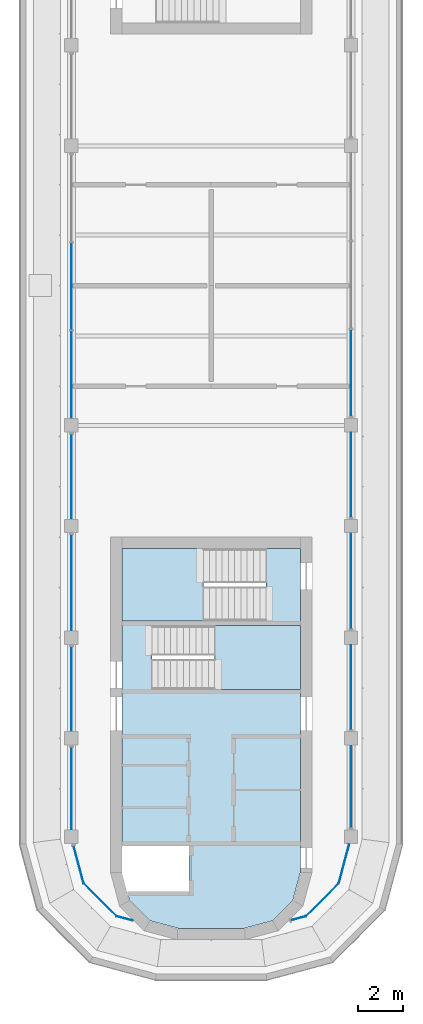
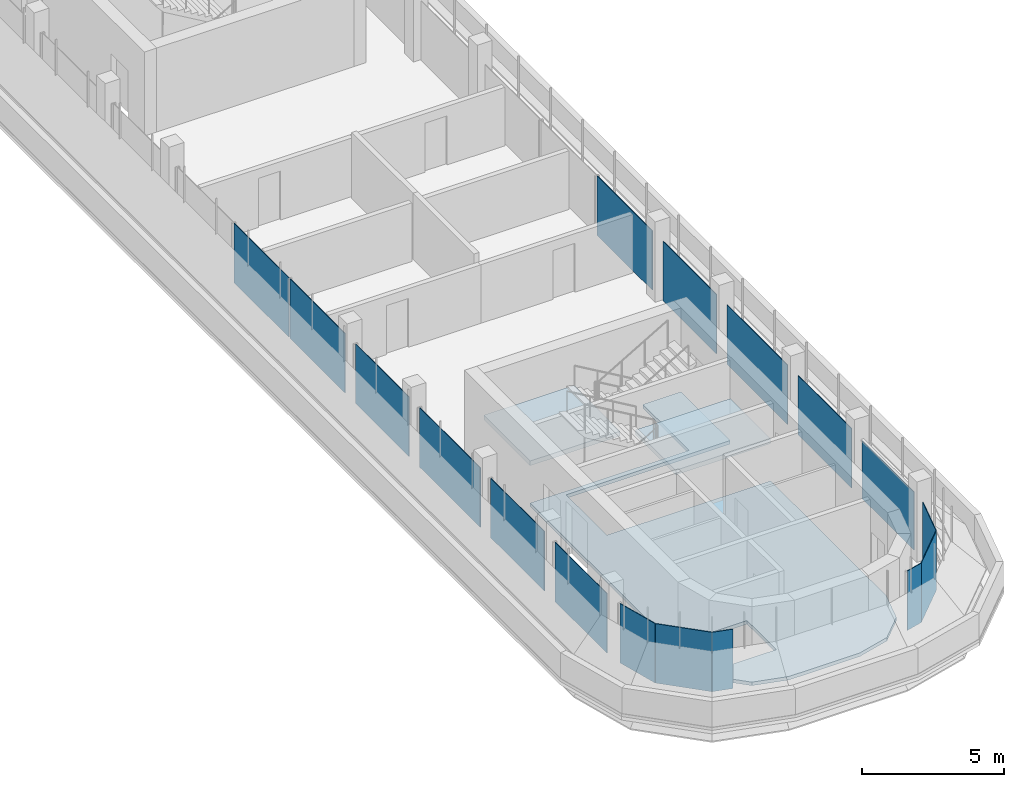
# One storey, part 5 of 12: 17 plates, 3 slabs, 10 elements without a shape of their own.
"""IFC4 building model written with IfcOpenShell, lengths in metres."""

from ifc_helpers import new_model, si_unit, direction, frame, origin, place, context, subcontext, project, spatial, polyline, outline, extrude, source, transform, mapped, material, layer, layer_set, type_object, element, aggregate, save


model = new_model("IFC4")

# Units and contexts
model_context = context("Model", 3, precision=1e-05, world=origin(), true_north=direction((0.0, 1.0)))
body_context = subcontext(model_context, "Body", "Model", "MODEL_VIEW")
ifc_project = project(units=[si_unit("LENGTHUNIT", "METRE"), si_unit("AREAUNIT", "SQUARE_METRE"), si_unit("VOLUMEUNIT", "CUBIC_METRE"), si_unit("PLANEANGLEUNIT", "RADIAN"), si_unit("MASSUNIT", "GRAM", prefix="KILO")], contexts=[model_context])

# Site, building, storey
site_placement = place(None, origin())
site = spatial("IfcSite", under=ifc_project, at=site_placement, CompositionType="ELEMENT")
building_placement = place(site_placement, origin())
building = spatial("IfcBuilding", under=site, at=building_placement, Name="Zarbagh Exchange Tower", CompositionType="ELEMENT")
storey_placement = place(building_placement, frame((0.0, 0.0, 309.60009765625)))
storey = spatial("IfcBuildingStorey", under=building, at=storey_placement, Name="L76", CompositionType="ELEMENT", Elevation=309.60009765625)

# Slab
ifc_material_1 = material(Name="Concrete C40/50", Category="concrete")
ifc_layer_1 = layer(ifc_material_1, 0.14990234375)
ifc_layer_set_1 = layer_set([ifc_layer_1], Name="Core floor slab 150 C40/50")
slab_type_1 = type_object("IfcSlabType", Name="Core floor slab 150 C40/50", PredefinedType="FLOOR", material=ifc_layer_set_1)
slab_1_placement = place(storey_placement, frame((0.0, 0.0, -0.150146484375)))
element("IfcSlab", 1, at=slab_1_placement, inside=storey, type_object=slab_type_1, Name="S17 core S", PredefinedType="FLOOR", context=body_context, shape_type="SweptSolid", body=[
    extrude(outline(polyline([(-2.7412109375, -28.39990234375), (-3.64990234375, -27.4912109375), (-3.857666015625, -26.715087890625), (-3.754638671875, -27.10009765625), (-1.0, -27.10009765625), (-1.0, -25.050048828125), (-4.0, -25.050048828125), (-4.0, -15.0), (2.449951171875, -15.0), (2.449951171875, -11.75), (4.0, -11.75), (4.0, -15.199951171875), (-2.64990234375, -15.199951171875), (-2.64990234375, -18.050048828125), (4.0, -18.050048828125), (4.0, -26.18408203125), (3.64990234375, -27.4912109375), (2.7412109375, -28.39990234375), (1.43408203125, -28.75), (-1.43408203125, -28.75), (-2.7412109375, -28.39990234375)])), origin(), (0.0, 0.0, 1.0), 0.150146484375),
])

# Stair, slab
stair_type = type_object("IfcStairType", Name="Exit stair two-flight half-turn", PredefinedType="HALF_TURN_STAIR", material=ifc_material_1)
stair_1_placement = place(storey_placement, origin())
stair_1 = element("IfcStair", 2, at=stair_1_placement, inside=storey, type_object=stair_type, Name="exit stair ST3", PredefinedType="HALF_TURN_STAIR")
ifc_layer_2 = layer(ifc_material_1, 0.199951171875)
ifc_layer_set_2 = layer_set([ifc_layer_2], Name="Stair landing 200 mm")
slab_type_2 = type_object("IfcSlabType", Name="Stair landing 200 mm", PredefinedType="LANDING", material=ifc_layer_set_2)
slab_2_placement = place(storey_placement, frame((0.0, 0.0, 1.599853515625)))
slab_2 = element("IfcSlab", 3, at=slab_2_placement, type_object=slab_type_2, Name="ST3 landing 1", PredefinedType="LANDING", context=body_context, shape_type="SweptSolid", body=[
    extrude(outline(polyline([(0.14990234375, -18.050048828125), (4.0, -18.050048828125), (4.0, -15.199951171875), (0.14990234375, -15.199951171875), (0.14990234375, -18.050048828125)])), origin(), (0.0, 0.0, 1.0), 0.199951171875),
])
aggregate(stair_1, [slab_2])

stair_2_placement = place(storey_placement, origin())
stair_2 = element("IfcStair", 4, at=stair_2_placement, inside=storey, type_object=stair_type, Name="exit stair ST4", PredefinedType="HALF_TURN_STAIR")
slab_3_placement = place(storey_placement, frame((0.0, 0.0, 1.599853515625)))
slab_3 = element("IfcSlab", 5, at=slab_3_placement, type_object=slab_type_2, Name="ST4 landing 1", PredefinedType="LANDING", context=body_context, shape_type="SweptSolid", body=[
    extrude(outline(polyline([(-0.35009765625, -11.75), (-4.0, -11.75), (-4.0, -15.0), (-0.35009765625, -15.0), (-0.35009765625, -11.75)])), origin(), (0.0, 0.0, 1.0), 0.199951171875),
])
aggregate(stair_2, [slab_3])

# Curtain wall, plate
ifc_material_2 = material(Name="Anodised aluminium frame and glazing", Category="aluminium")
curtain_wall_type = type_object("IfcCurtainWallType", Name="CWF Crown tier glazing", PredefinedType="NOTDEFINED", material=ifc_material_2)
curtain_wall_1_placement = place(storey_placement, origin())
curtain_wall_1 = element("IfcCurtainWall", 6, at=curtain_wall_1_placement, inside=storey, type_object=curtain_wall_type, Name="CWF01 curtain wall", PredefinedType="NOTDEFINED")
ifc_material_3 = material(Name="Low-e double glazed unit, 6+12+6 mm")
ifc_layer_3 = layer(ifc_material_3, 0.028076171875)
ifc_layer_set_3 = layer_set([ifc_layer_3], Name="PAF Glazing panel, Low-e double glazed unit, 6+12+6 mm")
plate_type = type_object("IfcPlateType", Name="PAF Glazing panel, Low-e double glazed unit, 6+12+6 mm", PredefinedType="CURTAIN_PANEL", material=ifc_layer_set_3)
shared_shape_1 = source(origin(), body_context, "Body", "SweptSolid", [
    extrude(outline(polyline([(0.0, -0.013916015625), (0.697021484375, -0.013916015625), (0.697021484375, 0.013916015625), (0.0, 0.013916015625), (0.0, -0.013916015625)])), origin(), (0.0, 0.0, 1.0), 2.550048828125),
])
placement = place(storey_placement, origin())
plate_1 = element("IfcPlate", 7, at=placement, type_object=plate_type, Name="CWF01 glazing panel 1.1", PredefinedType="CURTAIN_PANEL", context=body_context, shape_type="MappedRepresentation", body=[
    mapped(shared_shape_1, transform((3.56787109375, -28.379150390625, 0.0), x_axis=(0.965924289636, 0.258824779902, 0.0), y_axis=(-0.258824779902, 0.965924289636, 0.0), z_axis=(0.0, 0.0, 1.0))),
])
aggregate(curtain_wall_1, [plate_1])

curtain_wall_2_placement = place(storey_placement, origin())
curtain_wall_2 = element("IfcCurtainWall", 8, at=curtain_wall_2_placement, inside=storey, type_object=curtain_wall_type, Name="CWF02 curtain wall", PredefinedType="NOTDEFINED")
shared_shape_2 = source(origin(), body_context, "Body", "SweptSolid", [
    extrude(outline(polyline([(0.0, -0.013916015625), (2.061279296875, -0.013916015625), (2.061279296875, 0.013916015625), (0.0, 0.013916015625), (0.0, -0.013916015625)])), origin(), (0.0, 0.0, 1.0), 2.550048828125),
])
plate_2 = element("IfcPlate", 9, at=placement, type_object=plate_type, Name="CWF02 glazing panel 1.1", PredefinedType="CURTAIN_PANEL", context=body_context, shape_type="MappedRepresentation", body=[
    mapped(shared_shape_2, transform((4.2412109375, -28.19873046875, 0.0), x_axis=(0.707106781187, 0.707106781187, 0.0), y_axis=(-0.707106781187, 0.707106781187, 0.0), z_axis=(0.0, 0.0, 1.0))),
])
aggregate(curtain_wall_2, [plate_2])

curtain_wall_3_placement = place(storey_placement, origin())
curtain_wall_3 = element("IfcCurtainWall", 10, at=curtain_wall_3_placement, inside=storey, type_object=curtain_wall_type, Name="CWF45 curtain wall", PredefinedType="NOTDEFINED")
plate_3 = element("IfcPlate", 11, at=placement, type_object=plate_type, Name="CWF45 glazing panel 1.1", PredefinedType="CURTAIN_PANEL", context=body_context, shape_type="MappedRepresentation", body=[
    mapped(shared_shape_2, transform((-5.69873046875, -26.7412109375, 0.0), x_axis=(0.707106781187, -0.707106781187, 0.0), y_axis=(0.707106781187, 0.707106781187, 0.0), z_axis=(0.0, 0.0, 1.0))),
])
aggregate(curtain_wall_3, [plate_3])

curtain_wall_4_placement = place(storey_placement, origin())
curtain_wall_4 = element("IfcCurtainWall", 12, at=curtain_wall_4_placement, inside=storey, type_object=curtain_wall_type, Name="CWF03 curtain wall", PredefinedType="NOTDEFINED")
shared_shape_3 = source(origin(), body_context, "Body", "SweptSolid", [
    extrude(outline(polyline([(0.0, -0.013916015625), (1.81298828125, -0.013916015625), (1.81298828125, 0.013916015625), (0.0, 0.013916015625), (0.0, -0.013916015625)])), origin(), (0.0, 0.0, 1.0), 2.550048828125),
])
plate_4 = element("IfcPlate", 13, at=placement, type_object=plate_type, Name="CWF03 glazing panel 1.1", PredefinedType="CURTAIN_PANEL", context=body_context, shape_type="MappedRepresentation", body=[
    mapped(shared_shape_3, transform((5.69873046875, -26.7412109375, 0.0), x_axis=(0.258824779902, 0.965924289636, 0.0), y_axis=(-0.965924289636, 0.258824779902, 0.0), z_axis=(0.0, 0.0, 1.0))),
])
aggregate(curtain_wall_4, [plate_4])

# Curtain wall, plates
curtain_wall_5_placement = place(storey_placement, origin())
curtain_wall_5 = element("IfcCurtainWall", 14, at=curtain_wall_5_placement, inside=storey, type_object=curtain_wall_type, Name="CWF49 curtain wall", PredefinedType="NOTDEFINED")
shared_shape_4 = source(origin(), body_context, "Body", "SweptSolid", [
    extrude(outline(polyline([(0.0, -0.013916015625), (3.659912109375, -0.013916015625), (3.659912109375, 0.013916015625), (0.0, 0.013916015625), (0.0, -0.013916015625)])), origin(), (0.0, 0.0, 1.0), 2.489990234375),
])
plate_5 = element("IfcPlate", 15, at=placement, type_object=plate_type, Name="CWF49 glazing panel 1.1", PredefinedType="CURTAIN_PANEL", context=body_context, shape_type="MappedRepresentation", body=[
    mapped(shared_shape_4, transform((6.25, -24.25, 0.0), x_axis=(0.0, 1.0, 0.0), y_axis=(-1.0, 0.0, 0.0), z_axis=(0.0, 0.0, 1.0))),
])
shared_shape_5 = source(origin(), body_context, "Body", "SweptSolid", [
    extrude(outline(polyline([(0.0, -0.013916015625), (3.760009765625, -0.013916015625), (3.760009765625, 0.013916015625), (0.0, 0.013916015625), (0.0, -0.013916015625)])), origin(), (0.0, 0.0, 1.0), 2.550048828125),
])
plate_6 = element("IfcPlate", 16, at=placement, type_object=plate_type, Name="CWF49 glazing panel 2.1", PredefinedType="CURTAIN_PANEL", context=body_context, shape_type="MappedRepresentation", body=[
    mapped(shared_shape_5, transform((6.25, -19.849853515625, 0.0), x_axis=(0.0, 1.0, 0.0), y_axis=(-1.0, 0.0, 0.0), z_axis=(0.0, 0.0, 1.0))),
])
plate_7 = element("IfcPlate", 17, at=placement, type_object=plate_type, Name="CWF49 glazing panel 4.1", PredefinedType="CURTAIN_PANEL", context=body_context, shape_type="MappedRepresentation", body=[
    mapped(shared_shape_5, transform((6.25, -10.349853515625, 0.0), x_axis=(0.0, 1.0, 0.0), y_axis=(-1.0, 0.0, 0.0), z_axis=(0.0, 0.0, 1.0))),
])

curtain_wall_6_placement = place(storey_placement, origin())
curtain_wall_6 = element("IfcCurtainWall", 18, at=curtain_wall_6_placement, inside=storey, type_object=curtain_wall_type, Name="CWF50 curtain wall", PredefinedType="NOTDEFINED")
plate_8 = element("IfcPlate", 19, at=placement, type_object=plate_type, Name="CWF50 glazing panel 6.1", PredefinedType="CURTAIN_PANEL", context=body_context, shape_type="MappedRepresentation", body=[
    mapped(shared_shape_5, transform((-6.25, -6.650146484375, 0.0), x_axis=(0.0, -1.0, 0.0), y_axis=(1.0, 0.0, 0.0), z_axis=(0.0, 0.0, 1.0))),
])
plate_9 = element("IfcPlate", 20, at=placement, type_object=plate_type, Name="CWF50 glazing panel 8.1", PredefinedType="CURTAIN_PANEL", context=body_context, shape_type="MappedRepresentation", body=[
    mapped(shared_shape_5, transform((-6.25, -16.150146484375, 0.0), x_axis=(0.0, -1.0, 0.0), y_axis=(1.0, 0.0, 0.0), z_axis=(0.0, 0.0, 1.0))),
])

# Plate
shared_shape_6 = source(origin(), body_context, "Body", "SweptSolid", [
    extrude(outline(polyline([(0.0, -0.013916015625), (4.260009765625, -0.013916015625), (4.260009765625, 0.013916015625), (0.0, 0.013916015625), (0.0, -0.013916015625)])), origin(), (0.0, 0.0, 1.0), 2.550048828125),
])
plate_10 = element("IfcPlate", 21, at=placement, type_object=plate_type, Name="CWF49 glazing panel 3.1", PredefinedType="CURTAIN_PANEL", context=body_context, shape_type="MappedRepresentation", body=[
    mapped(shared_shape_6, transform((6.25, -15.349853515625, 0.0), x_axis=(0.0, 1.0, 0.0), y_axis=(-1.0, 0.0, 0.0), z_axis=(0.0, 0.0, 1.0))),
])

plate_11 = element("IfcPlate", 22, at=placement, type_object=plate_type, Name="CWF50 glazing panel 7.1", PredefinedType="CURTAIN_PANEL", context=body_context, shape_type="MappedRepresentation", body=[
    mapped(shared_shape_6, transform((-6.25, -11.150146484375, 0.0), x_axis=(0.0, -1.0, 0.0), y_axis=(1.0, 0.0, 0.0), z_axis=(0.0, 0.0, 1.0))),
])

shared_shape_7 = source(origin(), body_context, "Body", "SweptSolid", [
    extrude(outline(polyline([(0.0, -0.013916015625), (3.659912109375, -0.013916015625), (3.659912109375, 0.013916015625), (0.0, 0.013916015625), (0.0, -0.013916015625)])), origin(), (0.0, 0.0, 1.0), 2.550048828125),
])
plate_12 = element("IfcPlate", 23, at=placement, type_object=plate_type, Name="CWF50 glazing panel 9.1", PredefinedType="CURTAIN_PANEL", context=body_context, shape_type="MappedRepresentation", body=[
    mapped(shared_shape_7, transform((-6.25, -20.650146484375, 0.0), x_axis=(0.0, -1.0, 0.0), y_axis=(1.0, 0.0, 0.0), z_axis=(0.0, 0.0, 1.0))),
])

# Curtain wall, plate
curtain_wall_7_placement = place(storey_placement, origin())
curtain_wall_7 = element("IfcCurtainWall", 24, at=curtain_wall_7_placement, inside=storey, type_object=curtain_wall_type, Name="CWF44 curtain wall", PredefinedType="NOTDEFINED")
shared_shape_8 = source(origin(), body_context, "Body", "SweptSolid", [
    extrude(outline(polyline([(0.0, -0.013916015625), (1.7529296875, -0.013916015625), (1.7529296875, 0.013916015625), (0.0, 0.013916015625), (0.0, -0.013916015625)])), origin(), (0.0, 0.0, 1.0), 2.550048828125),
])
plate_13 = element("IfcPlate", 25, at=placement, type_object=plate_type, Name="CWF44 glazing panel 1.1", PredefinedType="CURTAIN_PANEL", context=body_context, shape_type="MappedRepresentation", body=[
    mapped(shared_shape_8, transform((-6.152587890625, -25.0478515625, 0.0), x_axis=(0.258824779902, -0.965924289636, 0.0), y_axis=(0.965924289636, 0.258824779902, 0.0), z_axis=(0.0, 0.0, 1.0))),
])
aggregate(curtain_wall_7, [plate_13])

curtain_wall_8_placement = place(storey_placement, origin())
curtain_wall_8 = element("IfcCurtainWall", 26, at=curtain_wall_8_placement, inside=storey, type_object=curtain_wall_type, Name="CWF46 curtain wall", PredefinedType="NOTDEFINED")
shared_shape_9 = source(origin(), body_context, "Body", "SweptSolid", [
    extrude(outline(polyline([(0.0, -0.013916015625), (0.757080078125, -0.013916015625), (0.757080078125, 0.013916015625), (0.0, 0.013916015625), (0.0, -0.013916015625)])), origin(), (0.0, 0.0, 1.0), 2.550048828125),
])
plate_14 = element("IfcPlate", 27, at=placement, type_object=plate_type, Name="CWF46 glazing panel 1.1", PredefinedType="CURTAIN_PANEL", context=body_context, shape_type="MappedRepresentation", body=[
    mapped(shared_shape_9, transform((-4.2412109375, -28.19873046875, 0.0), x_axis=(0.965924289636, -0.258824779902, 0.0), y_axis=(0.258824779902, 0.965924289636, 0.0), z_axis=(0.0, 0.0, 1.0))),
])
aggregate(curtain_wall_8, [plate_14])

# Plate
shared_shape_10 = source(origin(), body_context, "Body", "SweptSolid", [
    extrude(outline(polyline([(0.0, -0.013916015625), (3.8798828125, -0.013916015625), (3.8798828125, 0.013916015625), (0.0, 0.013916015625), (0.0, -0.013916015625)])), origin(), (0.0, 0.0, 1.0), 2.550048828125),
])
plate_15 = element("IfcPlate", 28, at=placement, type_object=plate_type, Name="CWF49 glazing panel 5.1", PredefinedType="CURTAIN_PANEL", context=body_context, shape_type="MappedRepresentation", body=[
    mapped(shared_shape_10, transform((6.25, -5.849853515625, 0.0), x_axis=(0.0, 1.0, 0.0), y_axis=(-1.0, 0.0, 0.0), z_axis=(0.0, 0.0, 1.0))),
])

aggregate(curtain_wall_5, [plate_5, plate_6, plate_10, plate_7, plate_15])

plate_16 = element("IfcPlate", 29, at=placement, type_object=plate_type, Name="CWF50 glazing panel 5.2", PredefinedType="CURTAIN_PANEL", context=body_context, shape_type="MappedRepresentation", body=[
    mapped(shared_shape_10, transform((-6.25, 1.909912109375, 0.0), x_axis=(0.0, -1.0, 0.0), y_axis=(1.0, 0.0, 0.0), z_axis=(0.0, 0.0, 1.0))),
])

plate_17 = element("IfcPlate", 30, at=placement, type_object=plate_type, Name="CWF50 glazing panel 5.3", PredefinedType="CURTAIN_PANEL", context=body_context, shape_type="MappedRepresentation", body=[
    mapped(shared_shape_10, transform((-6.25, -2.030029296875, 0.0), x_axis=(0.0, -1.0, 0.0), y_axis=(1.0, 0.0, 0.0), z_axis=(0.0, 0.0, 1.0))),
])

aggregate(curtain_wall_6, [plate_16, plate_17, plate_8, plate_11, plate_9, plate_12])

save(model, "model.ifc")
